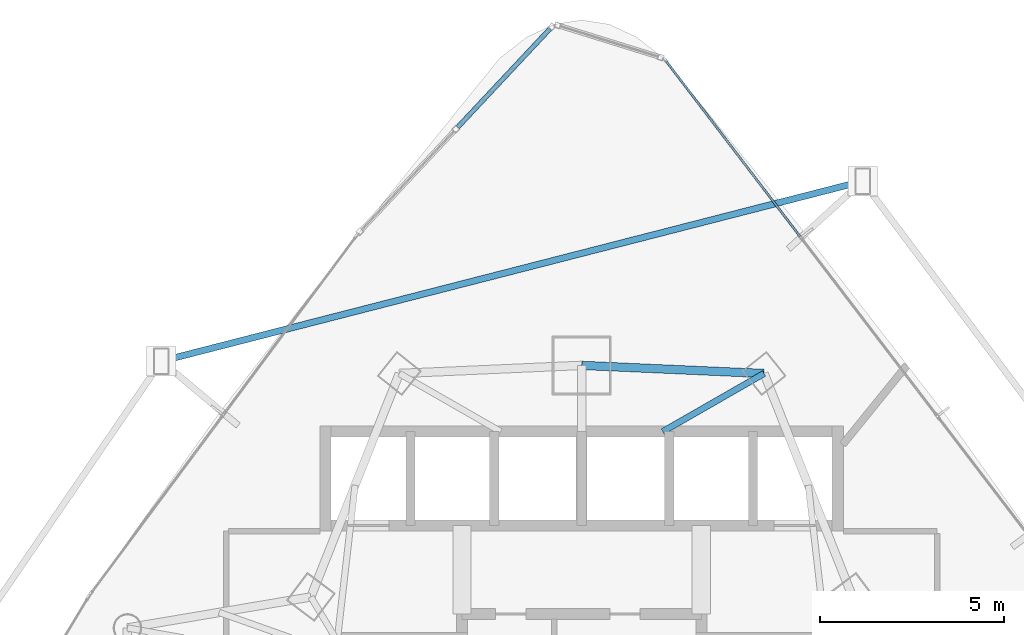
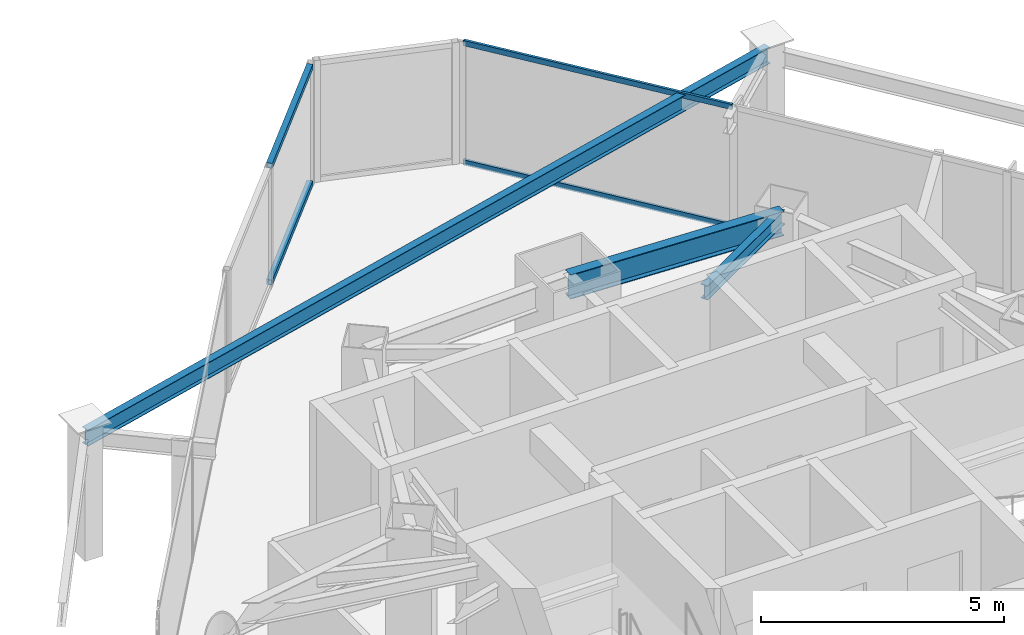
# One storey, part 23 of 33: 4 members, 3 beams, 2 elements without a shape of their own.
"""IFC4 building model written with IfcOpenShell, lengths in metres."""

from ifc_helpers import new_model, si_unit, direction, frame, origin, origin_2d, place, context, subcontext, project, spatial, hollow_rectangle, i_section, extrude, material, layer, layer_set, material_profile, profile_set, type_object, element, aggregate, save


model = new_model("IFC4")

# Units and contexts
model_context = context("Model", 3, precision=1e-05, world=origin(), true_north=direction((0.0, 1.0)))
body_context = subcontext(model_context, "Body", "Model", "MODEL_VIEW")
ifc_project = project(units=[si_unit("LENGTHUNIT", "METRE"), si_unit("AREAUNIT", "SQUARE_METRE"), si_unit("VOLUMEUNIT", "CUBIC_METRE"), si_unit("PLANEANGLEUNIT", "RADIAN"), si_unit("MASSUNIT", "GRAM", prefix="KILO")], contexts=[model_context])

# Site, building, storey
site_placement = place(None, origin())
site = spatial("IfcSite", under=ifc_project, at=site_placement, CompositionType="ELEMENT")
building_placement = place(site_placement, origin())
building = spatial("IfcBuilding", under=site, at=building_placement, Name="Orvanel Arch Residences", CompositionType="ELEMENT")
storey_placement = place(building_placement, frame((0.0, 0.0, 87.35009765625)))
storey = spatial("IfcBuildingStorey", under=building, at=storey_placement, Name="L24", CompositionType="ELEMENT", Elevation=87.35009765625)

# Beams
ifc_material_1 = material(Name="Structural steel AS/NZS 3679.1 Grade 300 (300 MPa)", Category="steel")
ifc_material_profile_1 = material_profile(ifc_material_1, i_section(OverallWidth=0.1708984375, OverallDepth=0.35595703125, WebThickness=0.00732421875, FlangeThickness=0.011474609375, at=origin_2d()), Name="360UB50.7")
ifc_profile_set_1 = profile_set([ifc_material_profile_1], Name="Structural steel AS/NZS 3679.1 Grade 300 (300 MPa)")
beam_type_1 = type_object("IfcBeamType", Name="BJ-360UB", PredefinedType="JOIST", material=ifc_profile_set_1)
beam_1_placement = place(storey_placement, frame((35.199951171875, 39.60009765625, 2.8818359375), z_axis=(0.86736513383, 0.497672306458, 0.0), x_axis=(-0.497672306458, 0.86736513383, 0.0)))
element("IfcBeam", 1, at=beam_1_placement, inside=storey, type_object=beam_type_1, Name="L24 MNE Wing Floor Joist", PredefinedType="JOIST", context=body_context, shape_type="SweptSolid", body=[
    extrude(i_section(OverallWidth=0.1708984375, OverallDepth=0.35595703125, WebThickness=0.00732421875, FlangeThickness=0.011474609375, at=origin_2d()), origin(), (0.0, 0.0, 1.0), 3.17041015625),
])
ifc_material_profile_2 = material_profile(ifc_material_1, i_section(OverallWidth=0.177978515625, OverallDepth=0.406005859375, WebThickness=0.0078125, FlangeThickness=0.0126953125, at=origin_2d()), Name="410UB59.7")
ifc_profile_set_2 = profile_set([ifc_material_profile_2], Name="Structural steel AS/NZS 3679.1 Grade 300 (300 MPa)")
beam_type_2 = type_object("IfcBeamType", Name="OB-410UB-EXT", PredefinedType="SPANDREL", material=ifc_profile_set_2)
beam_2_placement = place(storey_placement, frame((40.625, 46.39697265625, 2.85693359375), z_axis=(-0.968608581925, -0.248590858686, 0.0), x_axis=(0.248590858686, -0.968608581925, 0.0)))
element("IfcBeam", 2, at=beam_2_placement, inside=storey, type_object=beam_type_2, Name="L24 Outer Perimeter Floor Ring Beam 12", PredefinedType="SPANDREL", context=body_context, shape_type="SweptSolid", body=[
    extrude(i_section(OverallWidth=0.177978515625, OverallDepth=0.406005859375, WebThickness=0.0078125, FlangeThickness=0.0126953125, at=origin_2d()), origin(), (0.0, 0.0, 1.0), 19.65087890625),
])
ifc_material_profile_3 = material_profile(ifc_material_1, i_section(OverallWidth=0.22900390625, OverallDepth=0.612060546875, WebThickness=0.011962890625, FlangeThickness=0.01953125, at=origin_2d()), Name="610UB125")
ifc_profile_set_3 = profile_set([ifc_material_profile_3], Name="Structural steel AS/NZS 3679.1 Grade 300 (300 MPa)")
beam_type_3 = type_object("IfcBeamType", Name="SP-610UB", PredefinedType="SPANDREL", material=ifc_profile_set_3)
beam_3_placement = place(storey_placement, frame((37.949951171875, 41.177978515625, 2.75390625), z_axis=(-0.999014049296, 0.044395149614, 0.0), x_axis=(-0.044395149614, -0.999014049296, 0.0)))
element("IfcBeam", 3, at=beam_3_placement, inside=storey, type_object=beam_type_3, Name="L24 Perimeter Spandrel Beam 16", PredefinedType="SPANDREL", context=body_context, shape_type="SweptSolid", body=[
    extrude(i_section(OverallWidth=0.22900390625, OverallDepth=0.612060546875, WebThickness=0.011962890625, FlangeThickness=0.01953125, at=origin_2d()), origin(), (0.0, 0.0, 1.0), 4.954833984375),
])

# Curtain wall, members
ifc_material_2 = material(Name="Bronze-anodised aluminium AA6063-T6", Category="aluminium")
ifc_layer_1 = layer(ifc_material_2, 0.18994140625)
ifc_layer_set_1 = layer_set([ifc_layer_1], Name="Bronze-anodised aluminium AA6063-T6")
curtain_wall_type_1 = type_object("IfcCurtainWallType", Name="CW5-CRN-SYS", PredefinedType="NOTDEFINED", material=ifc_layer_set_1)
curtain_wall_1_placement = place(storey_placement, origin())
curtain_wall_1 = element("IfcCurtainWall", 4, at=curtain_wall_1_placement, inside=storey, type_object=curtain_wall_type_1, Name="L24 CW5-CRN-SYS Unitised Curtain Wall", PredefinedType="NOTDEFINED")
ifc_material_profile_4 = material_profile(ifc_material_2, hollow_rectangle(XDim=0.1298828125, YDim=0.1298828125, WallThickness=0.00439453125, at=origin_2d()), Name="ALU130x130x4.5")
ifc_profile_set_4 = profile_set([ifc_material_profile_4], Name="Bronze-anodised aluminium AA6063-T6")
member_type_1 = type_object("IfcMemberType", Name="TRN-130x130", PredefinedType="USERDEFINED", material=ifc_profile_set_4)
member_1_placement = place(storey_placement, frame((32.138427734375, 50.533447265625, 0.06494140625), z_axis=(-0.68393003652, -0.729547603071, 0.0), x_axis=(0.729547603071, -0.68393003652, 0.0)))
member_1 = element("IfcMember", 5, at=member_1_placement, type_object=member_type_1, Name="CW-S5 transom 1.1", ObjectType="TRANSOM", PredefinedType="USERDEFINED", context=body_context, shape_type="SweptSolid", body=[
    extrude(hollow_rectangle(XDim=0.1298828125, YDim=0.1298828125, WallThickness=0.00439453125, at=origin_2d()), origin(), (0.0, 0.0, 1.0), 3.66064453125),
])
member_2_placement = place(storey_placement, frame((32.138427734375, 50.533447265625, 2.994873046875), z_axis=(-0.68393003652, -0.729547603071, 0.0), x_axis=(0.729547603071, -0.68393003652, 0.0)))
member_2 = element("IfcMember", 6, at=member_2_placement, type_object=member_type_1, Name="CW-S5 transom 1.2", ObjectType="TRANSOM", PredefinedType="USERDEFINED", context=body_context, shape_type="SweptSolid", body=[
    extrude(hollow_rectangle(XDim=0.1298828125, YDim=0.1298828125, WallThickness=0.00439453125, at=origin_2d()), origin(), (0.0, 0.0, 1.0), 3.66064453125),
])
aggregate(curtain_wall_1, [member_1, member_2])

ifc_layer_2 = layer(ifc_material_2, 0.179931640625)
ifc_layer_set_2 = layer_set([ifc_layer_2], Name="Bronze-anodised aluminium AA6063-T6")
curtain_wall_type_2 = type_object("IfcCurtainWallType", Name="CW2-LOW-SYS", PredefinedType="NOTDEFINED", material=ifc_layer_set_2)
curtain_wall_2_placement = place(storey_placement, origin())
curtain_wall_2 = element("IfcCurtainWall", 7, at=curtain_wall_2_placement, inside=storey, type_object=curtain_wall_type_2, Name="L24 CW2-LOW-SYS Unitised Curtain Wall", PredefinedType="NOTDEFINED")
ifc_material_profile_5 = material_profile(ifc_material_2, hollow_rectangle(XDim=0.06005859375, YDim=0.135009765625, WallThickness=0.00390625, at=origin_2d()), Name="ALU135x60x4")
ifc_profile_set_5 = profile_set([ifc_material_profile_5], Name="Bronze-anodised aluminium AA6063-T6")
member_type_2 = type_object("IfcMemberType", Name="TRN-135x60", PredefinedType="USERDEFINED", material=ifc_profile_set_5)
member_3_placement = place(storey_placement, frame((38.9287109375, 44.894775390625, 0.02978515625), z_axis=(-0.607090348899, 0.794632813489, 0.0), x_axis=(-0.794632813489, -0.607090348899, 0.0)))
member_3 = element("IfcMember", 8, at=member_3_placement, type_object=member_type_2, Name="CW-S2 transom 3.1", ObjectType="TRANSOM", PredefinedType="USERDEFINED", context=body_context, shape_type="SweptSolid", body=[
    extrude(hollow_rectangle(XDim=0.06005859375, YDim=0.135009765625, WallThickness=0.00390625, at=origin_2d()), origin(), (0.0, 0.0, 1.0), 5.99609375),
])
member_4_placement = place(storey_placement, frame((38.9287109375, 44.894775390625, 3.02978515625), z_axis=(-0.607090348899, 0.794632813489, 0.0), x_axis=(-0.794632813489, -0.607090348899, 0.0)))
member_4 = element("IfcMember", 9, at=member_4_placement, type_object=member_type_2, Name="CW-S2 transom 3.2", ObjectType="TRANSOM", PredefinedType="USERDEFINED", context=body_context, shape_type="SweptSolid", body=[
    extrude(hollow_rectangle(XDim=0.06005859375, YDim=0.135009765625, WallThickness=0.00390625, at=origin_2d()), origin(), (0.0, 0.0, 1.0), 5.99609375),
])
aggregate(curtain_wall_2, [member_3, member_4])

save(model, "model.ifc")
